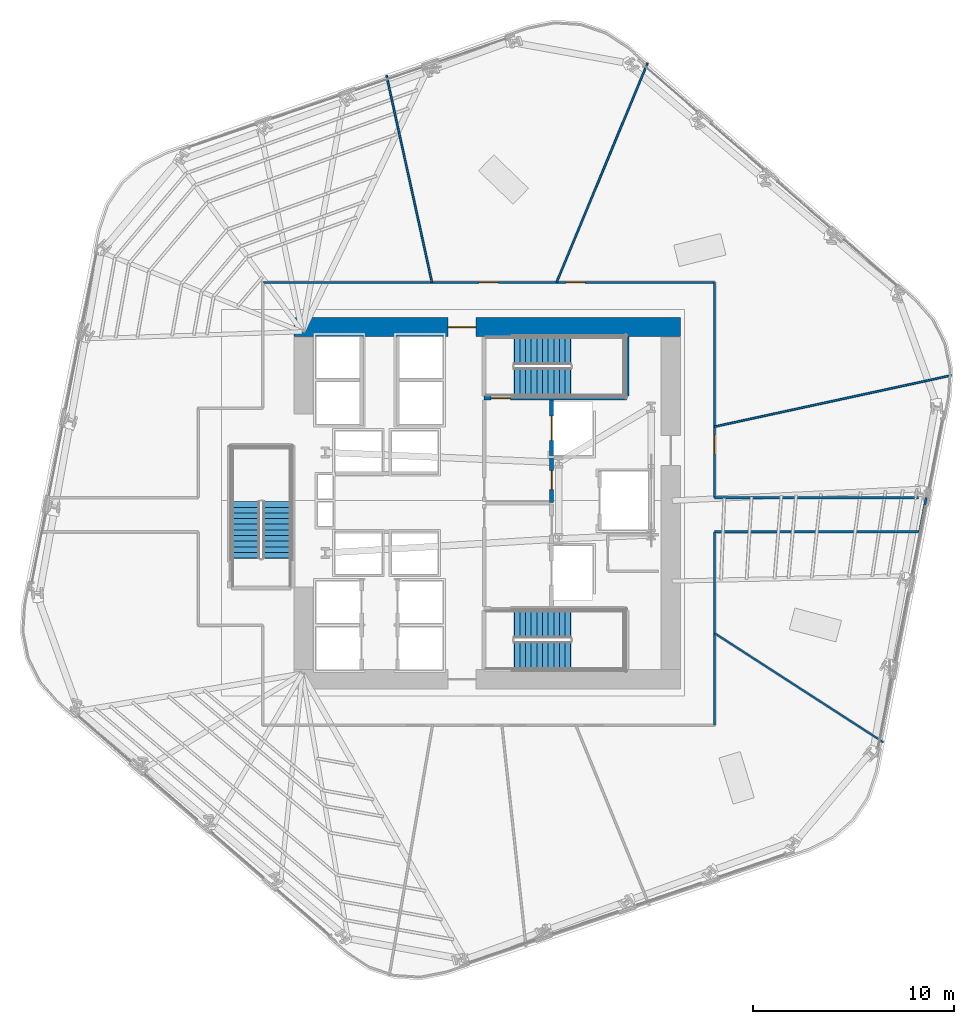
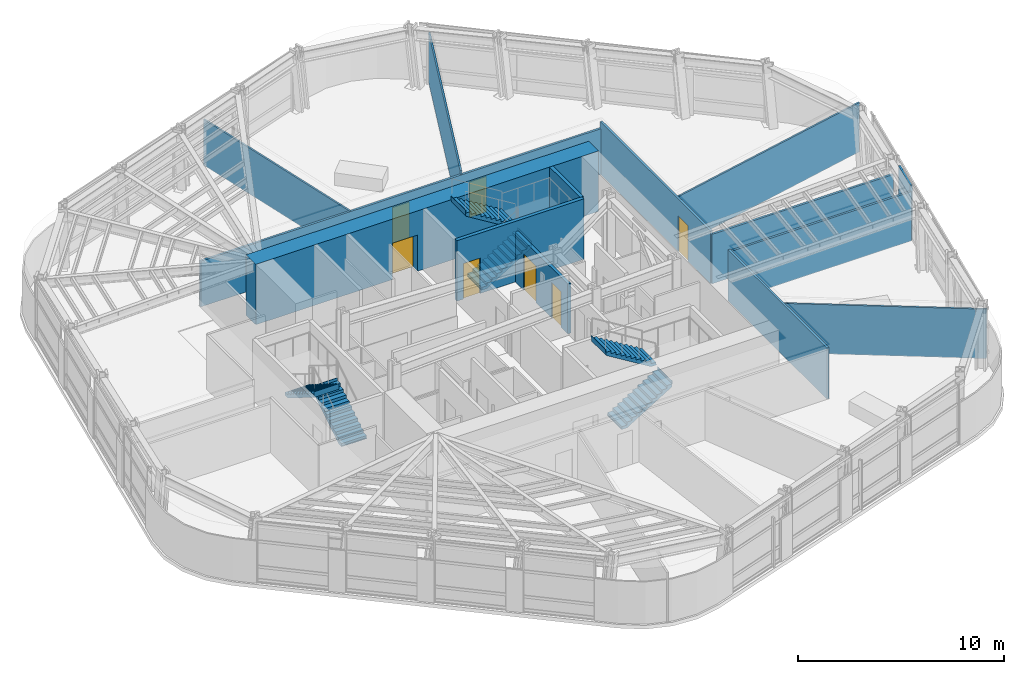
# One storey, part 10 of 16: 14 walls, 7 doors, 6 stair flights, 7 openings, 3 elements without a shape of their own.
"""IFC4 building model written with IfcOpenShell, lengths in metres."""

import ifcopenshell
import ifcopenshell.guid

model = None  # the IFC model being written
_history = None  # IfcOwnerHistory: only IFC2X3 demands one
_inside = {}  # id of a spatial element -> (the spatial element, [elements in it])
_under = {}  # id of a project, library or spatial element -> (it, [spatial elements below it])
_declared = {}  # id of a project -> (the project, [libraries it declares])
_typed = {}  # id of a type object -> (the type object, [elements of that type])
_made_of = {}  # id of a material, layer set ... -> (it, [elements and type objects made of it])


def new_model(schema):
    """Start an empty IFC model of exactly this schema.

    Asked for "IFC4X3", IfcOpenShell would pick the latest addendum, in which some entities
    have other attributes; the version numbers below select the first issue.
    IFC2X3 requires an IfcOwnerHistory on every rooted entity: one is made here for all.
    """
    global model, _history
    if schema == "IFC4X3":
        model = ifcopenshell.file(schema_version=(4, 3, 0, 0))
    else:
        model = ifcopenshell.file(schema=schema)
    _inside.clear()
    _under.clear()
    _declared.clear()
    _typed.clear()
    _made_of.clear()
    _history = None
    if model.schema == "IFC2X3":
        org = make("IfcOrganization", Name="unknown")
        user = make(
            "IfcPersonAndOrganization",
            ThePerson=make("IfcPerson", FamilyName="unknown"),
            TheOrganization=org,
        )
        app = make(
            "IfcApplication",
            ApplicationDeveloper=org,
            Version="unknown",
            ApplicationFullName="unknown",
            ApplicationIdentifier="unknown",
        )
        _history = make(
            "IfcOwnerHistory",
            OwningUser=user,
            OwningApplication=app,
            ChangeAction="ADDED",
            CreationDate=0,
        )
    return model


def make(cls, **values):
    """One entity of the class cls with the attributes given. An attribute that is None is left unset."""
    return model.create_entity(
        cls, **{name: value for name, value in values.items() if value is not None}
    )


def rooted(cls, **values):
    """An entity with a GlobalId (a new one), such as an element, a storey or a relation."""
    return make(cls, GlobalId=ifcopenshell.guid.new(), OwnerHistory=_history, **values)


def si_unit(unit_type, name, prefix=None):
    """IfcSIUnit, for example si_unit("LENGTHUNIT", "METRE", prefix="MILLI")."""
    return make("IfcSIUnit", UnitType=unit_type, Prefix=prefix, Name=name)


def assignment(units):
    """IfcUnitAssignment: the units of a project."""
    return None if units is None else make("IfcUnitAssignment", Units=units)


def point(xyz):
    """IfcCartesianPoint."""
    return None if xyz is None else make("IfcCartesianPoint", Coordinates=xyz)


def direction(xyz):
    """IfcDirection."""
    return None if xyz is None else make("IfcDirection", DirectionRatios=xyz)


def frame(location, z_axis=None, x_axis=None):
    """IfcAxis2Placement3D, a coordinate frame: its origin and axes. An axis left out is left unset."""
    return make(
        "IfcAxis2Placement3D",
        Location=point(location),
        Axis=direction(z_axis),
        RefDirection=direction(x_axis),
    )


def frame_2d(location, x_axis=None):
    """IfcAxis2Placement2D, a coordinate frame in the plane: its origin and x axis."""
    return make(
        "IfcAxis2Placement2D", Location=point(location), RefDirection=direction(x_axis)
    )


def origin():
    """The frame at (0, 0, 0) with its axes left unset."""
    return frame((0.0, 0.0, 0.0))


def place(relative_to, where):
    """IfcLocalPlacement: puts the frame where relative to a parent placement (None: the world)."""
    return make(
        "IfcLocalPlacement", PlacementRelTo=relative_to, RelativePlacement=where
    )


def context(
    kind, dimensions, precision=None, world=None, true_north=None, identifier=None
):
    """IfcGeometricRepresentationContext, for example the 3D "Model" context."""
    return make(
        "IfcGeometricRepresentationContext",
        ContextIdentifier=identifier,
        ContextType=kind,
        CoordinateSpaceDimension=dimensions,
        Precision=precision,
        WorldCoordinateSystem=world,
        TrueNorth=true_north,
    )


def subcontext(parent, identifier, kind, view, scale=None):
    """IfcGeometricRepresentationSubContext, for example "Body" below "Model"."""
    return make(
        "IfcGeometricRepresentationSubContext",
        ContextIdentifier=identifier,
        ContextType=kind,
        ParentContext=parent,
        TargetScale=scale,
        TargetView=view,
    )


def project(units=None, contexts=None):
    """IfcProject with its units and contexts."""
    return rooted(
        "IfcProject",
        Name="project",
        RepresentationContexts=contexts,
        UnitsInContext=assignment(units),
    )


def spatial(cls, under=None, at=None, **own):
    """A site, building, storey or space (cls), placed at a placement, below another one or the project."""
    s = rooted(cls, ObjectPlacement=at, **own)
    if under is not None:
        _under.setdefault(under.id(), (under, []))[1].append(s)
    return s


def polyline(points):
    """IfcPolyline through the points."""
    return make("IfcPolyline", Points=[point(p) for p in points])


def profile(cls, at=None, kind="AREA", **sizes):
    """A parametric profile (cls). Its sizes go by their IFC names, for example OverallWidth=200.0."""
    return make(cls, ProfileType=kind, Position=at, **sizes)


def rectangle(**sizes):
    """IfcRectangleProfileDef."""
    return profile("IfcRectangleProfileDef", **sizes)


def outline(outer, holes=None, kind="AREA"):
    """IfcArbitraryClosedProfileDef: a profile drawn as a closed curve; with holes, ...WithVoids."""
    if holes is None:
        return make("IfcArbitraryClosedProfileDef", ProfileType=kind, OuterCurve=outer)
    return make(
        "IfcArbitraryProfileDefWithVoids",
        ProfileType=kind,
        OuterCurve=outer,
        InnerCurves=holes,
    )


def extrude(swept, where, along, depth):
    """IfcExtrudedAreaSolid: the profile swept, set in the frame where, extruded along a direction by depth."""
    return make(
        "IfcExtrudedAreaSolid",
        SweptArea=swept,
        Position=where,
        ExtrudedDirection=direction(along),
        Depth=depth,
    )


def shape(context_of_items, identifier, shape_type, items):
    """IfcShapeRepresentation: the items that make up one representation, for example the "Body"."""
    return make(
        "IfcShapeRepresentation",
        ContextOfItems=context_of_items,
        RepresentationIdentifier=identifier,
        RepresentationType=shape_type,
        Items=items,
    )


def material(Name=None, Category=None):
    """IfcMaterial."""
    return make("IfcMaterial", Name=Name, Category=Category)


def layer(
    of_material, thickness, ventilated=None, Name=None, Category=None, Priority=None
):
    """IfcMaterialLayer: one layer of a wall or slab, of a material (None: an air gap)."""
    return make(
        "IfcMaterialLayer",
        Material=of_material,
        LayerThickness=thickness,
        IsVentilated=ventilated,
        Name=Name,
        Category=Category,
        Priority=Priority,
    )


def layer_set(layers, Name=None):
    """IfcMaterialLayerSet."""
    return make("IfcMaterialLayerSet", MaterialLayers=layers, LayerSetName=Name)


def made_of(thing, what):
    """Note that an element or type object is made of a material, layer set ...; save() writes the relation."""
    if what is not None:
        _made_of.setdefault(what.id(), (what, []))[1].append(thing)
    return thing


def type_object(cls, material=None, **own):
    """A type object (cls), such as IfcWallType, which elements share."""
    return made_of(rooted(cls, **own), material)


def element(
    cls,
    number,
    at=None,
    inside=None,
    cuts=None,
    type_object=None,
    material=None,
    context=None,
    identifier="Body",
    shape_type=None,
    held_by="IfcProductDefinitionShape",
    body=None,
    shapes=None,
    **own,
):
    """One element of the class cls, such as IfcWall. Its Tag is "e" and its number.

    at: its placement. inside: the storey or other place that contains it. cuts: it is an
    opening in that element (IfcRelVoidsElement). A single representation is given by context,
    identifier, shape_type and body (its items); several are given by shapes. held_by: the class
    of the entity that holds the representations. save() writes the other relations.
    """
    e = rooted(cls, Tag="e%d" % number, ObjectPlacement=at, **own)
    if body is not None:
        shapes = [shape(context, identifier, shape_type, body)]
    if shapes is not None:
        e.Representation = make(held_by, Representations=shapes)
    if inside is not None:
        _inside.setdefault(inside.id(), (inside, []))[1].append(e)
    if cuts is not None:
        rooted(
            "IfcRelVoidsElement", RelatingBuildingElement=cuts, RelatedOpeningElement=e
        )
    if type_object is not None:
        _typed.setdefault(type_object.id(), (type_object, []))[1].append(e)
    return made_of(e, material)


def fill(opening, filler):
    """IfcRelFillsElement: the door or window that sits in an opening."""
    return rooted(
        "IfcRelFillsElement",
        RelatingOpeningElement=opening,
        RelatedBuildingElement=filler,
    )


def aggregate(whole, parts):
    """IfcRelAggregates: a whole, such as a stair, and the parts it consists of."""
    return rooted("IfcRelAggregates", RelatingObject=whole, RelatedObjects=parts)


def save(model, path):
    """Write the relations noted so far, then the file.

    IfcRelAggregates (storeys below a building ...), IfcRelContainedInSpatialStructure (elements
    in a storey), IfcRelDefinesByType, IfcRelAssociatesMaterial and IfcRelDeclares: one each for
    every whole, place, type object, material and project.
    """
    for whole, parts in _under.values():
        aggregate(whole, parts)
    for where, things in _inside.values():
        rooted(
            "IfcRelContainedInSpatialStructure",
            RelatedElements=things,
            RelatingStructure=where,
        )
    for kind, things in _typed.values():
        rooted("IfcRelDefinesByType", RelatedObjects=things, RelatingType=kind)
    for what, things in _made_of.values():
        rooted("IfcRelAssociatesMaterial", RelatedObjects=things, RelatingMaterial=what)
    for by, libraries in _declared.values():
        rooted("IfcRelDeclares", RelatingContext=by, RelatedDefinitions=libraries)
    model.write(path)


model = new_model("IFC4")

# Units and contexts
model_context = context("Model", 3, precision=1e-05, world=origin(), true_north=direction((0.0, 1.0)))
body_context = subcontext(model_context, "Body", "Model", "MODEL_VIEW")
ifc_project = project(units=[si_unit("LENGTHUNIT", "METRE"), si_unit("AREAUNIT", "SQUARE_METRE"), si_unit("VOLUMEUNIT", "CUBIC_METRE"), si_unit("PLANEANGLEUNIT", "RADIAN"), si_unit("MASSUNIT", "GRAM", prefix="KILO")], contexts=[model_context])

# Site, building, storey
site_placement = place(None, origin())
site = spatial("IfcSite", under=ifc_project, at=site_placement, CompositionType="ELEMENT")
building_placement = place(site_placement, origin())
building = spatial("IfcBuilding", under=site, at=building_placement, Name="Valkerne Bourse Tower", CompositionType="ELEMENT")
storey_placement = place(building_placement, frame((0.0, 0.0, 104.800048828125)))
storey = spatial("IfcBuildingStorey", under=building, at=storey_placement, Name="L26", CompositionType="ELEMENT", Elevation=104.800048828125)

# Wall, opening, door
ifc_material_1 = material(Name="Concrete C70/85", Category="concrete")
ifc_layer_1 = layer(ifc_material_1, 0.949951171875)
ifc_layer_set_1 = layer_set([ifc_layer_1], Name="Concrete C70/85")
wall_type_1 = type_object("IfcWallType", Name="W-CORE-950", PredefinedType="SHEAR", material=ifc_layer_set_1)
wall_1_placement = place(storey_placement, frame((37.199951171875, 35.625, 0.0), z_axis=(0.0, 0.0, 1.0), x_axis=(1.0, 0.0, 0.0)))
wall_1 = element("IfcWall", 1, at=wall_1_placement, inside=storey, type_object=wall_type_1, Name="L26 Core Shear Wall NORTH", PredefinedType="SHEAR", context=body_context, shape_type="SweptSolid", body=[
    extrude(rectangle(XDim=19.199951171875, YDim=0.949951171875, at=frame_2d((9.60009765625, 0.0))), origin(), (0.0, 0.0, 1.0), 3.579833984375),
])
opening_1_placement = place(wall_1_placement, frame((7.64990234375, 0.0, 0.0)))
opening_1 = element("IfcOpeningElement", 2, at=opening_1_placement, cuts=wall_1, Name="Opening D-PL-1400", PredefinedType="OPENING", context=body_context, shape_type="SweptSolid", body=[
    extrude(rectangle(XDim=1.39990234375, YDim=2.14990234375, at=frame_2d((0.699951171875, 1.074951171875))), frame((0.0, 0.48486328125, 0.0), z_axis=(0.0, -1.0, 0.0), x_axis=(1.0, 0.0, 0.0)), (0.0, 0.0, 1.0), 0.969970703125),
])
ifc_material_2 = material(Name="Galvanised Painted Steel", Category="steel")
door_type_1 = type_object("IfcDoorType", Name="DR-PLT-1400", OperationType="DOUBLE_DOOR_SINGLE_SWING", PredefinedType="DOOR", material=ifc_material_2)
door_1_placement = place(opening_1_placement, origin())
door_1 = element("IfcDoor", 3, at=door_1_placement, inside=storey, type_object=door_type_1, Name="L26 North Passenger Lift Hall Fire Door", OperationType="DOUBLE_DOOR_SINGLE_SWING", OverallHeight=2.14990234375, OverallWidth=1.39990234375, PredefinedType="DOOR", context=body_context, shape_type="SweptSolid", body=[
    extrude(rectangle(XDim=1.39990234375, YDim=2.14990234375, at=frame_2d((0.699951171875, 1.074951171875))), frame((0.0, 0.02490234375, 0.0), z_axis=(0.0, -1.0, 0.0), x_axis=(1.0, 0.0, 0.0)), (0.0, 0.0, 1.0), 0.050048828125),
])
fill(opening_1, door_1)

# Walls
ifc_material_3 = material(Name="Gypsum Board Steel-Stud Partition", Category="steel")
ifc_layer_2 = layer(ifc_material_3, 0.117919921875)
ifc_layer_set_2 = layer_set([ifc_layer_2], Name="Gypsum Board Steel-Stud Partition")
wall_type_2 = type_object("IfcWallType", Name="W-CORR-140", PredefinedType="PARTITIONING", material=ifc_layer_set_2)
wall_2_placement = place(storey_placement, frame((58.10009765625, 27.14990234375, 0.0), z_axis=(0.0, 0.0, 1.0), x_axis=(1.0, 0.0, 0.0)))
element("IfcWall", 4, at=wall_2_placement, inside=storey, type_object=wall_type_2, Name="L26 Corridor Enclosure Wall", PredefinedType="PARTITIONING", context=body_context, shape_type="SweptSolid", body=[
    extrude(rectangle(XDim=10.15283203125, YDim=0.117919921875, at=frame_2d((5.076416015625, 0.0))), origin(), (0.0, 0.0, 1.0), 2.92236328125),
])
wall_3_placement = place(storey_placement, frame((68.6240234375, 27.14990234375, 0.0), z_axis=(0.0, 0.0, 1.0), x_axis=(-0.189386087111, -0.98190269885, 0.0)))
element("IfcWall", 5, at=wall_3_placement, inside=storey, type_object=wall_type_2, Name="L26 Corridor Enclosure Wall", PredefinedType="PARTITIONING", context=body_context, shape_type="SweptSolid", body=[
    extrude(rectangle(XDim=1.731201171875, YDim=0.117919921875, at=frame_2d((0.86572265625, 0.0))), origin(), (0.0, 0.0, 1.0), 3.280029296875),
])
wall_4_placement = place(storey_placement, frame((68.296142578125, 25.449951171875, 0.0), z_axis=(0.0, 0.0, 1.0), x_axis=(-1.0, 0.0, 0.0)))
element("IfcWall", 6, at=wall_4_placement, inside=storey, type_object=wall_type_2, Name="L26 Corridor Enclosure Wall", PredefinedType="PARTITIONING", context=body_context, shape_type="SweptSolid", body=[
    extrude(rectangle(XDim=10.196044921875, YDim=0.117919921875, at=frame_2d((5.09814453125, 0.0))), origin(), (0.0, 0.0, 1.0), 2.92236328125),
])
wall_5_placement = place(storey_placement, frame((58.10009765625, 25.449951171875, 0.0), z_axis=(0.0, 0.0, 1.0), x_axis=(0.0, -1.0, 0.0)))
element("IfcWall", 7, at=wall_5_placement, inside=storey, type_object=wall_type_2, Name="L26 Corridor Enclosure Wall", PredefinedType="PARTITIONING", context=body_context, shape_type="SweptSolid", body=[
    extrude(rectangle(XDim=9.599853515625, YDim=0.117919921875, at=frame_2d((4.7998046875, 0.0))), origin(), (0.0, 0.0, 1.0), 3.03662109375),
])

# Wall, openings, doors
wall_6_placement = place(storey_placement, frame((35.64990234375, 37.85009765625, 0.0), z_axis=(0.0, 0.0, 1.0), x_axis=(1.0, 0.0, 0.0)))
wall_6 = element("IfcWall", 8, at=wall_6_placement, inside=storey, type_object=wall_type_2, Name="L26 Corridor Enclosure Wall", PredefinedType="PARTITIONING", context=body_context, shape_type="SweptSolid", body=[
    extrude(rectangle(XDim=22.4501953125, YDim=0.117919921875, at=frame_2d((11.22509765625, 0.0))), origin(), (0.0, 0.0, 1.0), 2.71142578125),
])
opening_2_placement = place(wall_6_placement, frame((10.75, 0.0, 0.0)))
opening_2 = element("IfcOpeningElement", 9, at=opening_2_placement, cuts=wall_6, Name="Opening D-OF-950", PredefinedType="OPENING", context=body_context, shape_type="SweptSolid", body=[
    extrude(rectangle(XDim=0.949951171875, YDim=2.10009765625, at=frame_2d((0.47509765625, 1.050048828125))), frame((0.0, 0.06884765625, 0.0), z_axis=(0.0, -1.0, 0.0), x_axis=(1.0, 0.0, 0.0)), (0.0, 0.0, 1.0), 0.137939453125),
])
opening_3_placement = place(wall_6_placement, frame((15.070068359375, 0.0, 0.0)))
opening_3 = element("IfcOpeningElement", 10, at=opening_3_placement, cuts=wall_6, Name="Opening D-OF-950", PredefinedType="OPENING", context=body_context, shape_type="SweptSolid", body=[
    extrude(rectangle(XDim=0.949951171875, YDim=2.10009765625, at=frame_2d((0.47509765625, 1.050048828125))), frame((0.0, 0.06884765625, 0.0), z_axis=(0.0, -1.0, 0.0), x_axis=(1.0, 0.0, 0.0)), (0.0, 0.0, 1.0), 0.137939453125),
])
ifc_material_4 = material(Name="Architectural White Oak Timber", Category="wood")
door_type_2 = type_object("IfcDoorType", Name="DR-OFF-950", OperationType="NOTDEFINED", PredefinedType="DOOR", material=ifc_material_4)
door_2_placement = place(opening_2_placement, origin())
door_2 = element("IfcDoor", 11, at=door_2_placement, inside=storey, type_object=door_type_2, Name="L26 L26 Executive Advisory Suite Office 4 Door", OperationType="SINGLE_SWING_LEFT", OverallHeight=2.10009765625, OverallWidth=0.949951171875, PredefinedType="DOOR", context=body_context, shape_type="SweptSolid", body=[
    extrude(rectangle(XDim=0.949951171875, YDim=2.10009765625, at=frame_2d((0.47509765625, 1.050048828125))), frame((0.0, 0.02490234375, 0.0), z_axis=(0.0, -1.0, 0.0), x_axis=(1.0, 0.0, 0.0)), (0.0, 0.0, 1.0), 0.050048828125),
])
fill(opening_2, door_2)
door_3_placement = place(opening_3_placement, origin())
door_3 = element("IfcDoor", 12, at=door_3_placement, inside=storey, type_object=door_type_2, Name="L26 L26 Trading Desk Office 6 Door", OperationType="SINGLE_SWING_RIGHT", OverallHeight=2.10009765625, OverallWidth=0.949951171875, PredefinedType="DOOR", context=body_context, shape_type="SweptSolid", body=[
    extrude(rectangle(XDim=0.949951171875, YDim=2.10009765625, at=frame_2d((0.47509765625, 1.050048828125))), frame((0.0, 0.02490234375, 0.0), z_axis=(0.0, -1.0, 0.0), x_axis=(1.0, 0.0, 0.0)), (0.0, 0.0, 1.0), 0.050048828125),
])
fill(opening_3, door_3)

# Wall, opening, door
wall_7_placement = place(storey_placement, frame((58.10009765625, 37.85009765625, 0.0), z_axis=(0.0, 0.0, 1.0), x_axis=(0.0, -1.0, 0.0)))
wall_7 = element("IfcWall", 13, at=wall_7_placement, inside=storey, type_object=wall_type_2, Name="L26 Corridor Enclosure Wall", PredefinedType="PARTITIONING", context=body_context, shape_type="SweptSolid", body=[
    extrude(rectangle(XDim=10.7001953125, YDim=0.117919921875, at=frame_2d((5.35009765625, 0.0))), origin(), (0.0, 0.0, 1.0), 3.107666015625),
])
opening_4_placement = place(wall_7_placement, frame((7.574951171875, 0.0, 0.0)))
opening_4 = element("IfcOpeningElement", 14, at=opening_4_placement, cuts=wall_7, Name="Opening D-OF-950", PredefinedType="OPENING", context=body_context, shape_type="SweptSolid", body=[
    extrude(rectangle(XDim=0.949951171875, YDim=2.10009765625, at=frame_2d((0.47509765625, 1.050048828125))), frame((0.0, 0.06884765625, 0.0), z_axis=(0.0, -1.0, 0.0), x_axis=(1.0, 0.0, 0.0)), (0.0, 0.0, 1.0), 0.137939453125),
])
door_4_placement = place(opening_4_placement, origin())
door_4 = element("IfcDoor", 15, at=door_4_placement, inside=storey, type_object=door_type_2, Name="L26 L26 Trading Desk Office 5 Door", OperationType="SINGLE_SWING_LEFT", OverallHeight=2.10009765625, OverallWidth=0.949951171875, PredefinedType="DOOR", context=body_context, shape_type="SweptSolid", body=[
    extrude(rectangle(XDim=0.949951171875, YDim=2.10009765625, at=frame_2d((0.47509765625, 1.050048828125))), frame((0.0, 0.02490234375, 0.0), z_axis=(0.0, -1.0, 0.0), x_axis=(1.0, 0.0, 0.0)), (0.0, 0.0, 1.0), 0.050048828125),
])
fill(opening_4, door_4)

# Wall, openings, doors
ifc_material_5 = material(Name="Gypsum Fire-Rated Shaftwall", Category="gypsum")
ifc_layer_3 = layer(ifc_material_5, 0.179931640625)
ifc_layer_set_3 = layer_set([ifc_layer_3], Name="Gypsum Fire-Rated Shaftwall")
wall_type_3 = type_object("IfcWallType", Name="W-FSAE-180", PredefinedType="PARTITIONING", material=ifc_layer_set_3)
wall_8_placement = place(storey_placement, frame((50.0, 26.919921875, 0.0), z_axis=(0.0, 0.0, 1.0), x_axis=(0.0, 1.0, 0.0)))
wall_8 = element("IfcWall", 16, at=wall_8_placement, inside=storey, type_object=wall_type_3, Name="L26 FSAE-2 Lobby & Shaft Front Wall", PredefinedType="PARTITIONING", context=body_context, shape_type="SweptSolid", body=[
    extrude(rectangle(XDim=5.080078125, YDim=0.179931640625, at=frame_2d((2.5400390625, 0.0))), origin(), (0.0, 0.0, 1.0), 2.957763671875),
])
opening_5_placement = place(wall_8_placement, frame((3.080078125, 0.0, 0.0)))
opening_5 = element("IfcOpeningElement", 17, at=opening_5_placement, cuts=wall_8, Name="Opening LD-1200", PredefinedType="OPENING", context=body_context, shape_type="SweptSolid", body=[
    extrude(rectangle(XDim=1.199951171875, YDim=2.14990234375, at=frame_2d((0.60009765625, 1.074951171875))), frame((0.0, 0.099853515625, 0.0), z_axis=(0.0, -1.0, 0.0), x_axis=(1.0, 0.0, 0.0)), (0.0, 0.0, 1.0), 0.199951171875),
])
opening_6_placement = place(wall_8_placement, frame((0.6298828125, 0.0, 0.0)))
opening_6 = element("IfcOpeningElement", 18, at=opening_6_placement, cuts=wall_8, Name="Opening D-FS-950", PredefinedType="OPENING", context=body_context, shape_type="SweptSolid", body=[
    extrude(rectangle(XDim=0.949951171875, YDim=2.10009765625, at=frame_2d((0.47509765625, 1.050048828125))), frame((0.0, 0.099853515625, 0.0), z_axis=(0.0, -1.0, 0.0), x_axis=(1.0, 0.0, 0.0)), (0.0, 0.0, 1.0), 0.199951171875),
])
door_type_3 = type_object("IfcDoorType", Name="DR-FSAE-950", OperationType="NOTDEFINED", PredefinedType="DOOR", material=ifc_material_2)
door_5_placement = place(opening_6_placement, origin())
door_5 = element("IfcDoor", 19, at=door_5_placement, inside=storey, type_object=door_type_3, Name="L26 FSAE-2 Lobby Corridor Fire Door", OperationType="SINGLE_SWING_LEFT", OverallHeight=2.10009765625, OverallWidth=0.949951171875, PredefinedType="DOOR", context=body_context, shape_type="SweptSolid", body=[
    extrude(rectangle(XDim=0.949951171875, YDim=2.10009765625, at=frame_2d((0.47509765625, 1.050048828125))), frame((0.0, 0.02490234375, 0.0), z_axis=(0.0, -1.0, 0.0), x_axis=(1.0, 0.0, 0.0)), (0.0, 0.0, 1.0), 0.050048828125),
])
fill(opening_6, door_5)
ifc_material_6 = material(Name="Stainless Steel AISI 316", Category="steel")
door_type_4 = type_object("IfcDoorType", Name="DR-LIFT-1200", OperationType="DOUBLE_DOOR_SLIDING", PredefinedType="DOOR", material=ifc_material_6)
door_6_placement = place(opening_5_placement, origin())
door_6 = element("IfcDoor", 20, at=door_6_placement, inside=storey, type_object=door_type_4, Name="L26 FSAE-2 Firefighting Lift Landing Door", OperationType="DOUBLE_DOOR_SLIDING", OverallHeight=2.14990234375, OverallWidth=1.199951171875, PredefinedType="DOOR", context=body_context, shape_type="SweptSolid", body=[
    extrude(rectangle(XDim=1.199951171875, YDim=2.14990234375, at=frame_2d((0.60009765625, 1.074951171875))), frame((0.0, 0.02490234375, 0.0), z_axis=(0.0, -1.0, 0.0), x_axis=(1.0, 0.0, 0.0)), (0.0, 0.0, 1.0), 0.050048828125),
])
fill(opening_5, door_6)

# Walls
ifc_layer_4 = layer(ifc_material_3, 0.092041015625)
ifc_layer_set_4 = layer_set([ifc_layer_4], Name="Gypsum Board Steel-Stud Partition")
wall_type_4 = type_object("IfcWallType", Name="W-PART-115", PredefinedType="PARTITIONING", material=ifc_layer_set_4)
wall_9_placement = place(storey_placement, frame((58.10498046875, 20.41064453125, 0.0), z_axis=(0.0, 0.0, 1.0), x_axis=(0.840004787595, -0.542578986708, 0.0)))
element("IfcWall", 21, at=wall_9_placement, inside=storey, type_object=wall_type_4, Name="L26 Suite Partition P04", PredefinedType="PARTITIONING", context=body_context, shape_type="SweptSolid", body=[
    extrude(rectangle(XDim=9.985595703125, YDim=0.092041015625, at=frame_2d((4.99267578125, 0.0))), origin(), (0.0, 0.0, 1.0), 2.92236328125),
])
wall_10_placement = place(storey_placement, frame((58.10498046875, 30.679931640625, 0.0), z_axis=(0.0, 0.0, 1.0), x_axis=(0.977313417215, 0.211798216545, 0.0)))
element("IfcWall", 22, at=wall_10_placement, inside=storey, type_object=wall_type_4, Name="L26 Suite Partition P05", PredefinedType="PARTITIONING", context=body_context, shape_type="SweptSolid", body=[
    extrude(rectangle(XDim=12.0400390625, YDim=0.092041015625, at=frame_2d((6.02001953125, 0.0))), origin(), (0.0, 0.0, 1.0), 2.92236328125),
])
wall_11_placement = place(storey_placement, frame((50.2490234375, 37.85498046875, 0.0), z_axis=(0.0, 0.0, 1.0), x_axis=(0.383366686114, 0.923596223454, 0.0)))
element("IfcWall", 23, at=wall_11_placement, inside=storey, type_object=wall_type_4, Name="L26 Suite Partition P06", PredefinedType="PARTITIONING", context=body_context, shape_type="SweptSolid", body=[
    extrude(rectangle(XDim=11.8037109375, YDim=0.092041015625, at=frame_2d((5.90185546875, 0.0))), origin(), (0.0, 0.0, 1.0), 2.92236328125),
])
wall_12_placement = place(storey_placement, frame((44.055419921875, 37.85498046875, 0.0), z_axis=(0.0, 0.0, 1.0), x_axis=(-0.214719756042, 0.976675701738, 0.0)))
element("IfcWall", 24, at=wall_12_placement, inside=storey, type_object=wall_type_4, Name="L26 Suite Partition P07", PredefinedType="PARTITIONING", context=body_context, shape_type="SweptSolid", body=[
    extrude(rectangle(XDim=10.526611328125, YDim=0.092041015625, at=frame_2d((5.26318359375, 0.0))), origin(), (0.0, 0.0, 1.0), 2.71142578125),
])

# Wall, opening, door
ifc_material_7 = material(Name="Concrete C40/50", Category="concrete")
ifc_layer_5 = layer(ifc_material_7, 0.199951171875)
ifc_layer_set_5 = layer_set([ifc_layer_5], Name="Concrete C40/50")
wall_type_5 = type_object("IfcWallType", Name="W-SHF-200", PredefinedType="SHEAR", material=ifc_layer_set_5)
wall_13_placement = place(storey_placement, frame((46.64990234375, 32.10009765625, 0.0), z_axis=(0.0, 0.0, 1.0), x_axis=(1.0, 0.0, 0.0)))
wall_13 = element("IfcWall", 25, at=wall_13_placement, inside=storey, type_object=wall_type_5, Name="L26 Exit Stair ST-2 Structural Shaft Wall South", PredefinedType="SHEAR", context=body_context, shape_type="SweptSolid", body=[
    extrude(rectangle(XDim=7.10009765625, YDim=0.199951171875, at=frame_2d((3.550048828125, 0.0))), origin(), (0.0, 0.0, 1.0), 3.579833984375),
])
opening_7_placement = place(wall_13_placement, frame((0.35009765625, 0.0, 0.0)))
opening_7 = element("IfcOpeningElement", 26, at=opening_7_placement, cuts=wall_13, Name="Opening D-ST-950", PredefinedType="OPENING", context=body_context, shape_type="SweptSolid", body=[
    extrude(rectangle(XDim=0.949951171875, YDim=2.10009765625, at=frame_2d((0.47509765625, 1.050048828125))), frame((0.0, 0.10986328125, 0.0), z_axis=(0.0, -1.0, 0.0), x_axis=(1.0, 0.0, 0.0)), (0.0, 0.0, 1.0), 0.219970703125),
])
door_type_5 = type_object("IfcDoorType", Name="DR-STAIR-950", OperationType="NOTDEFINED", PredefinedType="DOOR", material=ifc_material_2)
door_7_placement = place(opening_7_placement, origin())
door_7 = element("IfcDoor", 27, at=door_7_placement, inside=storey, type_object=door_type_5, Name="L26 Exit Stair ST-2 Door", OperationType="SINGLE_SWING_RIGHT", OverallHeight=2.10009765625, OverallWidth=0.949951171875, PredefinedType="DOOR", context=body_context, shape_type="SweptSolid", body=[
    extrude(rectangle(XDim=0.949951171875, YDim=2.10009765625, at=frame_2d((0.47509765625, 1.050048828125))), frame((0.0, 0.02490234375, 0.0), z_axis=(0.0, -1.0, 0.0), x_axis=(1.0, 0.0, 0.0)), (0.0, 0.0, 1.0), 0.050048828125),
])
fill(opening_7, door_7)

# Wall
wall_14_placement = place(storey_placement, frame((53.75, 32.199951171875, 0.0), z_axis=(0.0, 0.0, 1.0), x_axis=(0.0, 1.0, 0.0)))
element("IfcWall", 28, at=wall_14_placement, inside=storey, type_object=wall_type_5, Name="L26 Exit Stair ST-2 Structural Shaft Wall East", PredefinedType="SHEAR", context=body_context, shape_type="SweptSolid", body=[
    extrude(rectangle(XDim=2.949951171875, YDim=0.199951171875, at=frame_2d((1.47509765625, 0.0))), origin(), (0.0, 0.0, 1.0), 3.579833984375),
])

# Stair, stair flights
stair_type = type_object("IfcStairType", Name="ST-CORE-1400", PredefinedType="HALF_TURN_STAIR", material=ifc_material_7)
stair_1_placement = place(storey_placement, origin())
stair_1 = element("IfcStair", 29, at=stair_1_placement, inside=storey, type_object=stair_type, Name="L26 ST-1", PredefinedType="HALF_TURN_STAIR")
stair_flight_type = type_object("IfcStairFlightType", Name="STF-CORE-1400", PredefinedType="STRAIGHT", material=ifc_material_7)
stair_flight_1_placement = place(storey_placement, frame((48.14990234375, 19.300048828125, 0.0), z_axis=(0.0, 0.0, 1.0), x_axis=(1.0, 0.0, 0.0)))
stair_flight_1 = element("IfcStairFlight", 30, at=stair_flight_1_placement, type_object=stair_flight_type, Name="ST-1 flight 1", NumberOfRisers=11, NumberOfTreads=10, PredefinedType="STRAIGHT", RiserHeight=0.172727273, TreadLength=0.28, context=body_context, shape_type="SweptSolid", body=[
    extrude(outline(polyline([(-0.02001953125, 0.0), (-0.02001953125, 0.044921875), (0.0, 0.044921875), (0.0, 0.172607421875), (0.280029296875, 0.172607421875), (0.280029296875, 0.345458984375), (0.56005859375, 0.345458984375), (0.56005859375, 0.51806640625), (0.840087890625, 0.51806640625), (0.840087890625, 0.69091796875), (1.1201171875, 0.69091796875), (1.1201171875, 0.863525390625), (1.39990234375, 0.863525390625), (1.39990234375, 1.036376953125), (1.679931640625, 1.036376953125), (1.679931640625, 1.208984375), (1.9599609375, 1.208984375), (1.9599609375, 1.3818359375), (2.239990234375, 1.3818359375), (2.239990234375, 1.554443359375), (2.52001953125, 1.554443359375), (2.52001953125, 1.727294921875), (2.800048828125, 1.727294921875), (2.800048828125, 1.89990234375), (2.820068359375, 1.89990234375), (2.820068359375, 1.780029296875), (2.800048828125, 1.551025390625), (0.285400390625, 0.0), (-0.02001953125, 0.0)])), frame((0.0, 0.699951171875, 0.0), z_axis=(0.0, -1.0, 0.0), x_axis=(1.0, 0.0, 0.0)), (0.0, 0.0, 1.0), 1.39990234375),
])
stair_flight_2_placement = place(storey_placement, frame((50.949951171875, 20.85009765625, 1.89990234375), z_axis=(0.0, 0.0, 1.0), x_axis=(-1.0, 0.0, 0.0)))
stair_flight_2 = element("IfcStairFlight", 31, at=stair_flight_2_placement, type_object=stair_flight_type, Name="ST-1 flight 2", NumberOfRisers=11, NumberOfTreads=10, PredefinedType="STRAIGHT", RiserHeight=0.172727273, TreadLength=0.28, context=body_context, shape_type="SweptSolid", body=[
    extrude(outline(polyline([(-0.02001953125, 0.0), (-0.02001953125, 0.044921875), (0.0, 0.044921875), (0.0, 0.172607421875), (0.280029296875, 0.172607421875), (0.280029296875, 0.345458984375), (0.56005859375, 0.345458984375), (0.56005859375, 0.51806640625), (0.840087890625, 0.51806640625), (0.840087890625, 0.69091796875), (1.1201171875, 0.69091796875), (1.1201171875, 0.863525390625), (1.39990234375, 0.863525390625), (1.39990234375, 1.036376953125), (1.679931640625, 1.036376953125), (1.679931640625, 1.208984375), (1.9599609375, 1.208984375), (1.9599609375, 1.3818359375), (2.239990234375, 1.3818359375), (2.239990234375, 1.554443359375), (2.52001953125, 1.554443359375), (2.52001953125, 1.727294921875), (2.800048828125, 1.727294921875), (2.800048828125, 1.89990234375), (2.820068359375, 1.89990234375), (2.820068359375, 1.780029296875), (2.800048828125, 1.551025390625), (0.285400390625, 0.0), (-0.02001953125, 0.0)])), frame((0.0, 0.699951171875, 0.0), z_axis=(0.0, -1.0, 0.0), x_axis=(1.0, 0.0, 0.0)), (0.0, 0.0, 1.0), 1.39990234375),
])
aggregate(stair_1, [stair_flight_1, stair_flight_2])

stair_2_placement = place(storey_placement, origin())
stair_2 = element("IfcStair", 32, at=stair_2_placement, inside=storey, type_object=stair_type, Name="L26 ST-2", PredefinedType="HALF_TURN_STAIR")
stair_flight_3_placement = place(storey_placement, frame((48.14990234375, 32.89990234375, 0.0), z_axis=(0.0, 0.0, 1.0), x_axis=(1.0, 0.0, 0.0)))
stair_flight_3 = element("IfcStairFlight", 33, at=stair_flight_3_placement, type_object=stair_flight_type, Name="ST-2 flight 1", NumberOfRisers=11, NumberOfTreads=10, PredefinedType="STRAIGHT", RiserHeight=0.172727273, TreadLength=0.28, context=body_context, shape_type="SweptSolid", body=[
    extrude(outline(polyline([(-0.02001953125, 0.0), (-0.02001953125, 0.044921875), (0.0, 0.044921875), (0.0, 0.172607421875), (0.280029296875, 0.172607421875), (0.280029296875, 0.345458984375), (0.56005859375, 0.345458984375), (0.56005859375, 0.51806640625), (0.840087890625, 0.51806640625), (0.840087890625, 0.69091796875), (1.1201171875, 0.69091796875), (1.1201171875, 0.863525390625), (1.39990234375, 0.863525390625), (1.39990234375, 1.036376953125), (1.679931640625, 1.036376953125), (1.679931640625, 1.208984375), (1.9599609375, 1.208984375), (1.9599609375, 1.3818359375), (2.239990234375, 1.3818359375), (2.239990234375, 1.554443359375), (2.52001953125, 1.554443359375), (2.52001953125, 1.727294921875), (2.800048828125, 1.727294921875), (2.800048828125, 1.89990234375), (2.820068359375, 1.89990234375), (2.820068359375, 1.780029296875), (2.800048828125, 1.551025390625), (0.285400390625, 0.0), (-0.02001953125, 0.0)])), frame((0.0, 0.699951171875, 0.0), z_axis=(0.0, -1.0, 0.0), x_axis=(1.0, 0.0, 0.0)), (0.0, 0.0, 1.0), 1.39990234375),
])
stair_flight_4_placement = place(storey_placement, frame((50.949951171875, 34.449951171875, 1.89990234375), z_axis=(0.0, 0.0, 1.0), x_axis=(-1.0, 0.0, 0.0)))
stair_flight_4 = element("IfcStairFlight", 34, at=stair_flight_4_placement, type_object=stair_flight_type, Name="ST-2 flight 2", NumberOfRisers=11, NumberOfTreads=10, PredefinedType="STRAIGHT", RiserHeight=0.172727273, TreadLength=0.28, context=body_context, shape_type="SweptSolid", body=[
    extrude(outline(polyline([(-0.02001953125, 0.0), (-0.02001953125, 0.044921875), (0.0, 0.044921875), (0.0, 0.172607421875), (0.280029296875, 0.172607421875), (0.280029296875, 0.345458984375), (0.56005859375, 0.345458984375), (0.56005859375, 0.51806640625), (0.840087890625, 0.51806640625), (0.840087890625, 0.69091796875), (1.1201171875, 0.69091796875), (1.1201171875, 0.863525390625), (1.39990234375, 0.863525390625), (1.39990234375, 1.036376953125), (1.679931640625, 1.036376953125), (1.679931640625, 1.208984375), (1.9599609375, 1.208984375), (1.9599609375, 1.3818359375), (2.239990234375, 1.3818359375), (2.239990234375, 1.554443359375), (2.52001953125, 1.554443359375), (2.52001953125, 1.727294921875), (2.800048828125, 1.727294921875), (2.800048828125, 1.89990234375), (2.820068359375, 1.89990234375), (2.820068359375, 1.780029296875), (2.800048828125, 1.551025390625), (0.285400390625, 0.0), (-0.02001953125, 0.0)])), frame((0.0, 0.699951171875, 0.0), z_axis=(0.0, -1.0, 0.0), x_axis=(1.0, 0.0, 0.0)), (0.0, 0.0, 1.0), 1.39990234375),
])
aggregate(stair_2, [stair_flight_3, stair_flight_4])

stair_3_placement = place(storey_placement, origin())
stair_3 = element("IfcStair", 35, at=stair_3_placement, inside=storey, type_object=stair_type, Name="L26 ST-3", PredefinedType="HALF_TURN_STAIR")
stair_flight_5_placement = place(storey_placement, frame((36.35009765625, 24.14990234375, 0.0), z_axis=(0.0, 0.0, 1.0), x_axis=(0.0, 1.0, 0.0)))
stair_flight_5 = element("IfcStairFlight", 36, at=stair_flight_5_placement, type_object=stair_flight_type, Name="ST-3 flight 1", NumberOfRisers=11, NumberOfTreads=10, PredefinedType="STRAIGHT", RiserHeight=0.172727273, TreadLength=0.28, context=body_context, shape_type="SweptSolid", body=[
    extrude(outline(polyline([(-0.02001953125, 0.0), (-0.02001953125, 0.044921875), (0.0, 0.044921875), (0.0, 0.172607421875), (0.280029296875, 0.172607421875), (0.280029296875, 0.345458984375), (0.56005859375, 0.345458984375), (0.56005859375, 0.51806640625), (0.840087890625, 0.51806640625), (0.840087890625, 0.69091796875), (1.1201171875, 0.69091796875), (1.1201171875, 0.863525390625), (1.39990234375, 0.863525390625), (1.39990234375, 1.036376953125), (1.679931640625, 1.036376953125), (1.679931640625, 1.208984375), (1.9599609375, 1.208984375), (1.9599609375, 1.3818359375), (2.239990234375, 1.3818359375), (2.239990234375, 1.554443359375), (2.52001953125, 1.554443359375), (2.52001953125, 1.727294921875), (2.800048828125, 1.727294921875), (2.800048828125, 1.89990234375), (2.820068359375, 1.89990234375), (2.820068359375, 1.780029296875), (2.800048828125, 1.551025390625), (0.285400390625, 0.0), (-0.02001953125, 0.0)])), frame((0.0, 0.699951171875, 0.0), z_axis=(0.0, -1.0, 0.0), x_axis=(1.0, 0.0, 0.0)), (0.0, 0.0, 1.0), 1.39990234375),
])
stair_flight_6_placement = place(storey_placement, frame((34.800048828125, 26.949951171875, 1.89990234375), z_axis=(0.0, 0.0, 1.0), x_axis=(0.0, -1.0, 0.0)))
stair_flight_6 = element("IfcStairFlight", 37, at=stair_flight_6_placement, type_object=stair_flight_type, Name="ST-3 flight 2", NumberOfRisers=11, NumberOfTreads=10, PredefinedType="STRAIGHT", RiserHeight=0.172727273, TreadLength=0.28, context=body_context, shape_type="SweptSolid", body=[
    extrude(outline(polyline([(-0.02001953125, 0.0), (-0.02001953125, 0.044921875), (0.0, 0.044921875), (0.0, 0.172607421875), (0.280029296875, 0.172607421875), (0.280029296875, 0.345458984375), (0.56005859375, 0.345458984375), (0.56005859375, 0.51806640625), (0.840087890625, 0.51806640625), (0.840087890625, 0.69091796875), (1.1201171875, 0.69091796875), (1.1201171875, 0.863525390625), (1.39990234375, 0.863525390625), (1.39990234375, 1.036376953125), (1.679931640625, 1.036376953125), (1.679931640625, 1.208984375), (1.9599609375, 1.208984375), (1.9599609375, 1.3818359375), (2.239990234375, 1.3818359375), (2.239990234375, 1.554443359375), (2.52001953125, 1.554443359375), (2.52001953125, 1.727294921875), (2.800048828125, 1.727294921875), (2.800048828125, 1.89990234375), (2.820068359375, 1.89990234375), (2.820068359375, 1.780029296875), (2.800048828125, 1.551025390625), (0.285400390625, 0.0), (-0.02001953125, 0.0)])), frame((0.0, 0.699951171875, 0.0), z_axis=(0.0, -1.0, 0.0), x_axis=(1.0, 0.0, 0.0)), (0.0, 0.0, 1.0), 1.39990234375),
])
aggregate(stair_3, [stair_flight_5, stair_flight_6])

save(model, "model.ifc")
